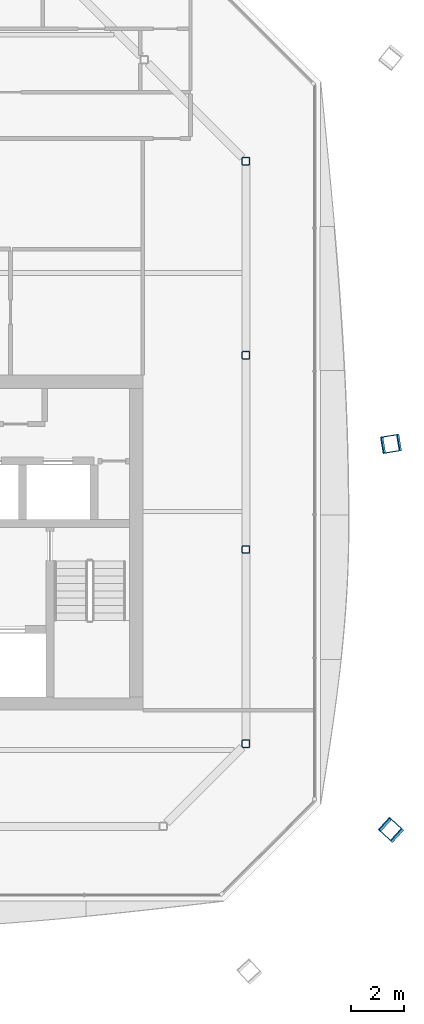
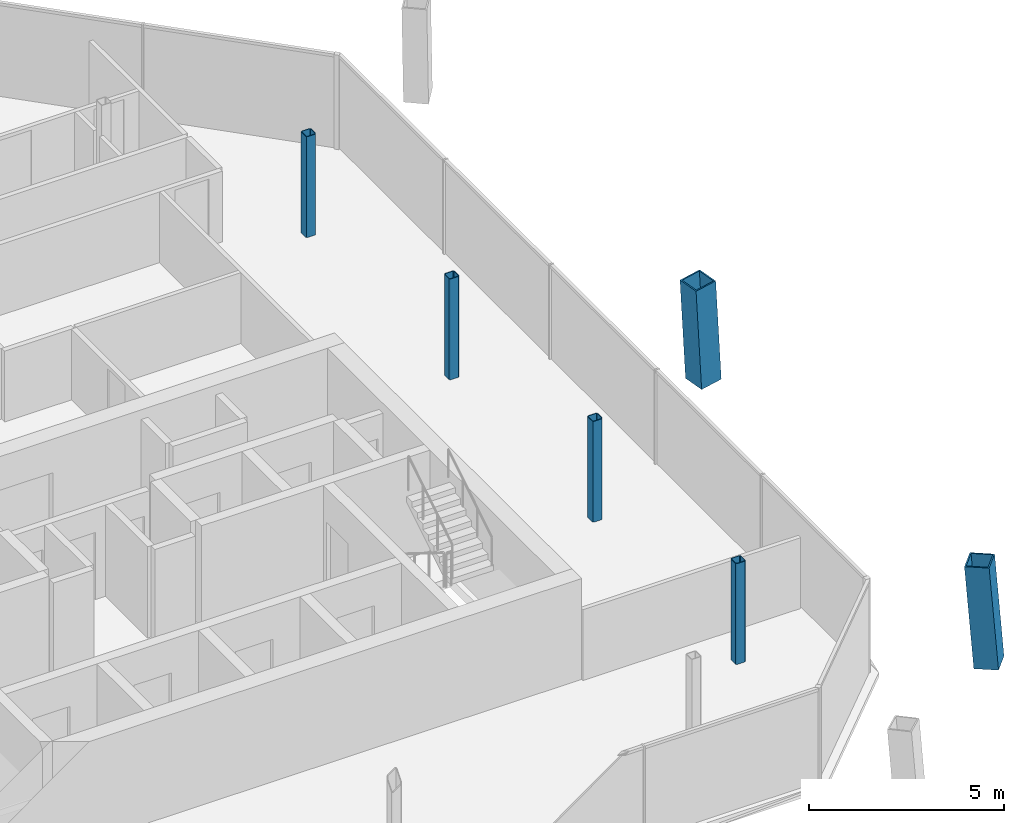
# One storey, part 2 of 18: 6 columns.
"""IFC4 building model written with IfcOpenShell, lengths in metres."""

from ifc_helpers import new_model, si_unit, direction, frame, origin, origin_2d, place, context, subcontext, project, spatial, hollow_rectangle, extrude, material, material_profile, profile_set, type_object, element, save


model = new_model("IFC4")

# Units and contexts
model_context = context("Model", 3, precision=1e-05, world=origin(), true_north=direction((0.0, 1.0)))
body_context = subcontext(model_context, "Body", "Model", "MODEL_VIEW")
ifc_project = project(units=[si_unit("LENGTHUNIT", "METRE"), si_unit("AREAUNIT", "SQUARE_METRE"), si_unit("VOLUMEUNIT", "CUBIC_METRE"), si_unit("PLANEANGLEUNIT", "RADIAN"), si_unit("MASSUNIT", "GRAM", prefix="KILO")], contexts=[model_context])

# Site, building, storey
site_placement = place(None, origin())
site = spatial("IfcSite", under=ifc_project, at=site_placement, CompositionType="ELEMENT")
building_placement = place(site_placement, origin())
building = spatial("IfcBuilding", under=site, at=building_placement, Name="Tskaro Facet Tower", CompositionType="ELEMENT")
storey_placement = place(building_placement, frame((0.0, 0.0, 220.35009765625)))
storey = spatial("IfcBuildingStorey", under=building, at=storey_placement, Name="L56", CompositionType="ELEMENT", Elevation=220.35009765625)

# Columns
ifc_material_1 = material(Name="Steel S355J2", Category="steel")
ifc_material_profile_1 = material_profile(ifc_material_1, hollow_rectangle(XDim=0.64990234375, YDim=0.64990234375, WallThickness=0.0400390625, at=origin_2d()), Name="BOX 650x650x40")
ifc_profile_set_1 = profile_set([ifc_material_profile_1], Name="Steel S355J2")
column_type_1 = type_object("IfcColumnType", Name="BOX 650x650x40 mega column", PredefinedType="COLUMN", material=ifc_profile_set_1)
column_1_placement = place(storey_placement, frame((18.902099609375, -16.552978515625, 0.0), z_axis=(-0.057644340806, 0.05254443934, 0.996953465247), x_axis=(-0.673658387955, -0.739042878551, 0.0)))
element("IfcColumn", 1, at=column_1_placement, inside=storey, type_object=column_type_1, Name="BOX 650x650x40 MC04/5", PredefinedType="COLUMN", context=body_context, shape_type="SweptSolid", body=[
    extrude(hollow_rectangle(XDim=0.64990234375, YDim=0.64990234375, WallThickness=0.0400390625, at=origin_2d()), origin(), (0.0, 0.0, 1.0), 3.159423828125),
])
column_2_placement = place(storey_placement, frame((18.902099609375, -1.943115234375, 0.0), z_axis=(-0.057721509714, -0.009439710704, 0.998288094278), x_axis=(0.161394864897, -0.986889911583, 0.0)))
element("IfcColumn", 2, at=column_2_placement, inside=storey, type_object=column_type_1, Name="BOX 650x650x40 MC05/5", PredefinedType="COLUMN", context=body_context, shape_type="SweptSolid", body=[
    extrude(hollow_rectangle(XDim=0.64990234375, YDim=0.64990234375, WallThickness=0.0400390625, at=origin_2d()), origin(), (0.0, 0.0, 1.0), 3.1552734375),
])
ifc_material_2 = material(Name="Steel S355J2H", Category="steel")
ifc_material_profile_2 = material_profile(ifc_material_2, hollow_rectangle(XDim=0.300048828125, YDim=0.300048828125, WallThickness=0.02001953125, InnerFilletRadius=0.030029296875, OuterFilletRadius=0.050048828125, at=origin_2d()), Name="SHS 300x300x20")
ifc_profile_set_2 = profile_set([ifc_material_profile_2], Name="Steel S355J2H")
column_type_2 = type_object("IfcColumnType", Name="SHS 300x300x20 ring column", PredefinedType="COLUMN", material=ifc_profile_set_2)
for number, where, z_axis, x_axis, name in (
    (3, (13.39111328125, -13.26806640625, 0.0), (0.0, 0.0, 1.0), (1.0, 0.0, 0.0), "SHS 300x300x20 RE-1/5"),
    (4, (13.39111328125, -5.93701171875, 0.0), (0.0, 0.0, 1.0), (1.0, 0.0, 0.0), "SHS 300x300x20 RE-2/5"),
    (5, (13.39111328125, 1.39404296875, 0.0), (0.0, 0.0, 1.0), (1.0, 0.0, 0.0), "SHS 300x300x20 RE-3/5"),
    (6, (13.39111328125, 8.72509765625, 0.0), (0.0, 0.0, 1.0), (1.0, 0.0, 0.0), "SHS 300x300x20 RNE-1/5"),
):
    element("IfcColumn", number, at=place(storey_placement, frame(where, z_axis=z_axis, x_axis=x_axis)), inside=storey, type_object=column_type_2, Name=name, PredefinedType="COLUMN", context=body_context, shape_type="SweptSolid", body=[
        extrude(hollow_rectangle(XDim=0.300048828125, YDim=0.300048828125, WallThickness=0.02001953125, InnerFilletRadius=0.030029296875, OuterFilletRadius=0.050048828125, at=origin_2d()), origin(), (0.0, 0.0, 1.0), 3.14990234375),
    ])

save(model, "model.ifc")
